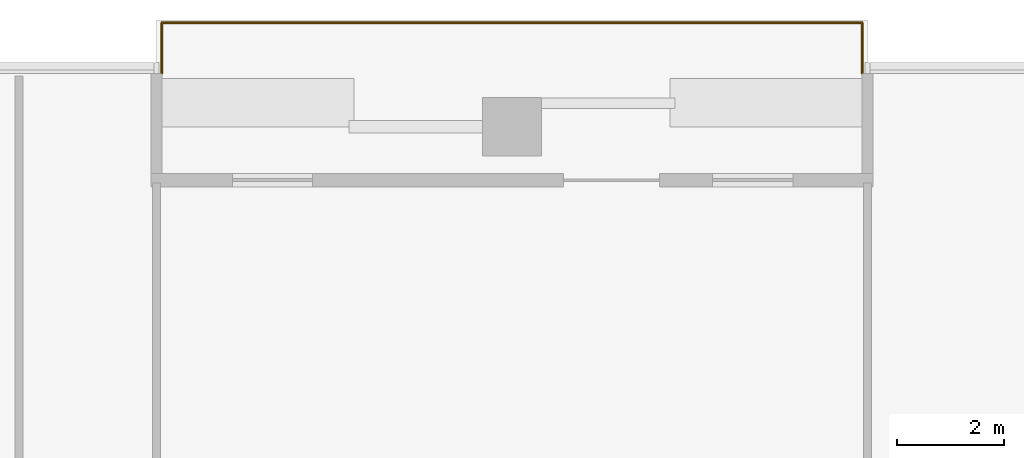
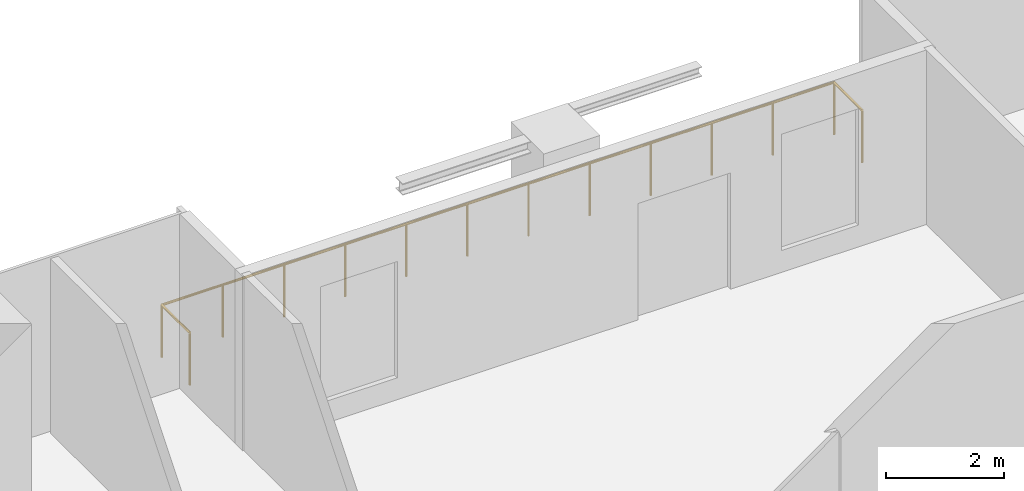
# One storey, part 14 of 14: 1 railing.
"""IFC4 building model written with IfcOpenShell, lengths in metres."""

import ifcopenshell
import ifcopenshell.guid

model = None  # the IFC model being written
_history = None  # IfcOwnerHistory: only IFC2X3 demands one
_inside = {}  # id of a spatial element -> (the spatial element, [elements in it])
_under = {}  # id of a project, library or spatial element -> (it, [spatial elements below it])
_declared = {}  # id of a project -> (the project, [libraries it declares])
_typed = {}  # id of a type object -> (the type object, [elements of that type])
_made_of = {}  # id of a material, layer set ... -> (it, [elements and type objects made of it])


def new_model(schema):
    """Start an empty IFC model of exactly this schema.

    Asked for "IFC4X3", IfcOpenShell would pick the latest addendum, in which some entities
    have other attributes; the version numbers below select the first issue.
    IFC2X3 requires an IfcOwnerHistory on every rooted entity: one is made here for all.
    """
    global model, _history
    if schema == "IFC4X3":
        model = ifcopenshell.file(schema_version=(4, 3, 0, 0))
    else:
        model = ifcopenshell.file(schema=schema)
    _inside.clear()
    _under.clear()
    _declared.clear()
    _typed.clear()
    _made_of.clear()
    _history = None
    if model.schema == "IFC2X3":
        org = make("IfcOrganization", Name="unknown")
        user = make(
            "IfcPersonAndOrganization",
            ThePerson=make("IfcPerson", FamilyName="unknown"),
            TheOrganization=org,
        )
        app = make(
            "IfcApplication",
            ApplicationDeveloper=org,
            Version="unknown",
            ApplicationFullName="unknown",
            ApplicationIdentifier="unknown",
        )
        _history = make(
            "IfcOwnerHistory",
            OwningUser=user,
            OwningApplication=app,
            ChangeAction="ADDED",
            CreationDate=0,
        )
    return model


def make(cls, **values):
    """One entity of the class cls with the attributes given. An attribute that is None is left unset."""
    return model.create_entity(
        cls, **{name: value for name, value in values.items() if value is not None}
    )


def rooted(cls, **values):
    """An entity with a GlobalId (a new one), such as an element, a storey or a relation."""
    return make(cls, GlobalId=ifcopenshell.guid.new(), OwnerHistory=_history, **values)


def si_unit(unit_type, name, prefix=None):
    """IfcSIUnit, for example si_unit("LENGTHUNIT", "METRE", prefix="MILLI")."""
    return make("IfcSIUnit", UnitType=unit_type, Prefix=prefix, Name=name)


def assignment(units):
    """IfcUnitAssignment: the units of a project."""
    return None if units is None else make("IfcUnitAssignment", Units=units)


def point(xyz):
    """IfcCartesianPoint."""
    return None if xyz is None else make("IfcCartesianPoint", Coordinates=xyz)


def direction(xyz):
    """IfcDirection."""
    return None if xyz is None else make("IfcDirection", DirectionRatios=xyz)


def frame(location, z_axis=None, x_axis=None):
    """IfcAxis2Placement3D, a coordinate frame: its origin and axes. An axis left out is left unset."""
    return make(
        "IfcAxis2Placement3D",
        Location=point(location),
        Axis=direction(z_axis),
        RefDirection=direction(x_axis),
    )


def frame_2d(location, x_axis=None):
    """IfcAxis2Placement2D, a coordinate frame in the plane: its origin and x axis."""
    return make(
        "IfcAxis2Placement2D", Location=point(location), RefDirection=direction(x_axis)
    )


def origin():
    """The frame at (0, 0, 0) with its axes left unset."""
    return frame((0.0, 0.0, 0.0))


def origin_2d():
    """The frame at (0, 0) in the plane with its x axis left unset."""
    return frame_2d((0.0, 0.0))


def place(relative_to, where):
    """IfcLocalPlacement: puts the frame where relative to a parent placement (None: the world)."""
    return make(
        "IfcLocalPlacement", PlacementRelTo=relative_to, RelativePlacement=where
    )


def context(
    kind, dimensions, precision=None, world=None, true_north=None, identifier=None
):
    """IfcGeometricRepresentationContext, for example the 3D "Model" context."""
    return make(
        "IfcGeometricRepresentationContext",
        ContextIdentifier=identifier,
        ContextType=kind,
        CoordinateSpaceDimension=dimensions,
        Precision=precision,
        WorldCoordinateSystem=world,
        TrueNorth=true_north,
    )


def subcontext(parent, identifier, kind, view, scale=None):
    """IfcGeometricRepresentationSubContext, for example "Body" below "Model"."""
    return make(
        "IfcGeometricRepresentationSubContext",
        ContextIdentifier=identifier,
        ContextType=kind,
        ParentContext=parent,
        TargetScale=scale,
        TargetView=view,
    )


def project(units=None, contexts=None):
    """IfcProject with its units and contexts."""
    return rooted(
        "IfcProject",
        Name="project",
        RepresentationContexts=contexts,
        UnitsInContext=assignment(units),
    )


def spatial(cls, under=None, at=None, **own):
    """A site, building, storey or space (cls), placed at a placement, below another one or the project."""
    s = rooted(cls, ObjectPlacement=at, **own)
    if under is not None:
        _under.setdefault(under.id(), (under, []))[1].append(s)
    return s


def profile(cls, at=None, kind="AREA", **sizes):
    """A parametric profile (cls). Its sizes go by their IFC names, for example OverallWidth=200.0."""
    return make(cls, ProfileType=kind, Position=at, **sizes)


def circle(**sizes):
    """IfcCircleProfileDef."""
    return profile("IfcCircleProfileDef", **sizes)


def extrude(swept, where, along, depth):
    """IfcExtrudedAreaSolid: the profile swept, set in the frame where, extruded along a direction by depth."""
    return make(
        "IfcExtrudedAreaSolid",
        SweptArea=swept,
        Position=where,
        ExtrudedDirection=direction(along),
        Depth=depth,
    )


def shape(context_of_items, identifier, shape_type, items):
    """IfcShapeRepresentation: the items that make up one representation, for example the "Body"."""
    return make(
        "IfcShapeRepresentation",
        ContextOfItems=context_of_items,
        RepresentationIdentifier=identifier,
        RepresentationType=shape_type,
        Items=items,
    )


def material(Name=None, Category=None):
    """IfcMaterial."""
    return make("IfcMaterial", Name=Name, Category=Category)


def made_of(thing, what):
    """Note that an element or type object is made of a material, layer set ...; save() writes the relation."""
    if what is not None:
        _made_of.setdefault(what.id(), (what, []))[1].append(thing)
    return thing


def type_object(cls, material=None, **own):
    """A type object (cls), such as IfcWallType, which elements share."""
    return made_of(rooted(cls, **own), material)


def element(
    cls,
    number,
    at=None,
    inside=None,
    cuts=None,
    type_object=None,
    material=None,
    context=None,
    identifier="Body",
    shape_type=None,
    held_by="IfcProductDefinitionShape",
    body=None,
    shapes=None,
    **own,
):
    """One element of the class cls, such as IfcWall. Its Tag is "e" and its number.

    at: its placement. inside: the storey or other place that contains it. cuts: it is an
    opening in that element (IfcRelVoidsElement). A single representation is given by context,
    identifier, shape_type and body (its items); several are given by shapes. held_by: the class
    of the entity that holds the representations. save() writes the other relations.
    """
    e = rooted(cls, Tag="e%d" % number, ObjectPlacement=at, **own)
    if body is not None:
        shapes = [shape(context, identifier, shape_type, body)]
    if shapes is not None:
        e.Representation = make(held_by, Representations=shapes)
    if inside is not None:
        _inside.setdefault(inside.id(), (inside, []))[1].append(e)
    if cuts is not None:
        rooted(
            "IfcRelVoidsElement", RelatingBuildingElement=cuts, RelatedOpeningElement=e
        )
    if type_object is not None:
        _typed.setdefault(type_object.id(), (type_object, []))[1].append(e)
    return made_of(e, material)


def aggregate(whole, parts):
    """IfcRelAggregates: a whole, such as a stair, and the parts it consists of."""
    return rooted("IfcRelAggregates", RelatingObject=whole, RelatedObjects=parts)


def save(model, path):
    """Write the relations noted so far, then the file.

    IfcRelAggregates (storeys below a building ...), IfcRelContainedInSpatialStructure (elements
    in a storey), IfcRelDefinesByType, IfcRelAssociatesMaterial and IfcRelDeclares: one each for
    every whole, place, type object, material and project.
    """
    for whole, parts in _under.values():
        aggregate(whole, parts)
    for where, things in _inside.values():
        rooted(
            "IfcRelContainedInSpatialStructure",
            RelatedElements=things,
            RelatingStructure=where,
        )
    for kind, things in _typed.values():
        rooted("IfcRelDefinesByType", RelatedObjects=things, RelatingType=kind)
    for what, things in _made_of.values():
        rooted("IfcRelAssociatesMaterial", RelatedObjects=things, RelatingMaterial=what)
    for by, libraries in _declared.values():
        rooted("IfcRelDeclares", RelatingContext=by, RelatedDefinitions=libraries)
    model.write(path)


model = new_model("IFC4")

# Units and contexts
model_context = context("Model", 3, precision=1e-05, world=origin(), true_north=direction((0.0, 1.0)))
body_context = subcontext(model_context, "Body", "Model", "MODEL_VIEW")
ifc_project = project(units=[si_unit("LENGTHUNIT", "METRE"), si_unit("AREAUNIT", "SQUARE_METRE"), si_unit("VOLUMEUNIT", "CUBIC_METRE"), si_unit("PLANEANGLEUNIT", "RADIAN"), si_unit("MASSUNIT", "GRAM", prefix="KILO")], contexts=[model_context])

# Site, building, storey
site_placement = place(None, origin())
site = spatial("IfcSite", under=ifc_project, at=site_placement, CompositionType="ELEMENT")
building_placement = place(site_placement, origin())
building = spatial("IfcBuilding", under=site, at=building_placement, Name="Mopane Tessera Tower", CompositionType="ELEMENT")
storey_placement = place(building_placement, frame((0.0, 0.0, 251.0)))
storey = spatial("IfcBuildingStorey", under=building, at=storey_placement, Name="L54", CompositionType="ELEMENT", Elevation=251.0)

# Railing
ifc_material = material(Name="Stainless steel S316", Category="steel")
railing_type = type_object("IfcRailingType", Name="Terrace guard 1100", PredefinedType="GUARDRAIL", material=ifc_material)
railing_placement = place(storey_placement, frame((17.659912109375, 24.75, 0.0)))
element("IfcRailing", 1, at=railing_placement, inside=storey, type_object=railing_type, Name="e:nw:L54:N2:guard", PredefinedType="GUARDRAIL", context=body_context, shape_type="SweptSolid", body=[
    extrude(circle(Radius=0.02392578125, at=origin_2d()), frame((0.0, 0.0, 1.076171875), z_axis=(0.0, 1.0, 0.0), x_axis=(-1.0, 0.0, 0.0)), (0.0, 0.0, 1.0), 0.949951171875),
    extrude(circle(Radius=0.02392578125, at=origin_2d()), frame((0.0, 0.949951171875, 1.076171875), z_axis=(-1.0, 0.0, 0.0), x_axis=(0.0, -1.0, 0.0)), (0.0, 0.0, 1.0), 13.119873046875),
    extrude(circle(Radius=0.02392578125, at=origin_2d()), frame((-13.119873046875, 0.949951171875, 1.076171875), z_axis=(0.0, -1.0, 0.0), x_axis=(1.0, 0.0, 0.0)), (0.0, 0.0, 1.0), 0.949951171875),
    extrude(circle(Radius=0.02099609375, at=origin_2d()), origin(), (0.0, 0.0, 1.0), 1.052001953125),
    extrude(circle(Radius=0.02099609375, at=origin_2d()), frame((0.0, 0.949951171875, 0.0)), (0.0, 0.0, 1.0), 1.052001953125),
    extrude(circle(Radius=0.02099609375, at=origin_2d()), frame((-1.192626953125, 0.949951171875, 0.0)), (0.0, 0.0, 1.0), 1.052001953125),
    extrude(circle(Radius=0.02099609375, at=origin_2d()), frame((-2.385498046875, 0.949951171875, 0.0)), (0.0, 0.0, 1.0), 1.052001953125),
    extrude(circle(Radius=0.02099609375, at=origin_2d()), frame((-3.578125, 0.949951171875, 0.0)), (0.0, 0.0, 1.0), 1.052001953125),
    extrude(circle(Radius=0.02099609375, at=origin_2d()), frame((-4.770751953125, 0.949951171875, 0.0)), (0.0, 0.0, 1.0), 1.052001953125),
    extrude(circle(Radius=0.02099609375, at=origin_2d()), frame((-5.963623046875, 0.949951171875, 0.0)), (0.0, 0.0, 1.0), 1.052001953125),
    extrude(circle(Radius=0.02099609375, at=origin_2d()), frame((-7.15625, 0.949951171875, 0.0)), (0.0, 0.0, 1.0), 1.052001953125),
    extrude(circle(Radius=0.02099609375, at=origin_2d()), frame((-8.34912109375, 0.949951171875, 0.0)), (0.0, 0.0, 1.0), 1.052001953125),
    extrude(circle(Radius=0.02099609375, at=origin_2d()), frame((-9.541748046875, 0.949951171875, 0.0)), (0.0, 0.0, 1.0), 1.052001953125),
    extrude(circle(Radius=0.02099609375, at=origin_2d()), frame((-10.734375, 0.949951171875, 0.0)), (0.0, 0.0, 1.0), 1.052001953125),
    extrude(circle(Radius=0.02099609375, at=origin_2d()), frame((-11.92724609375, 0.949951171875, 0.0)), (0.0, 0.0, 1.0), 1.052001953125),
    extrude(circle(Radius=0.02099609375, at=origin_2d()), frame((-13.119873046875, 0.949951171875, 0.0)), (0.0, 0.0, 1.0), 1.052001953125),
    extrude(circle(Radius=0.02099609375, at=origin_2d()), frame((-13.119873046875, 0.0, 0.0)), (0.0, 0.0, 1.0), 1.052001953125),
])

save(model, "model.ifc")
